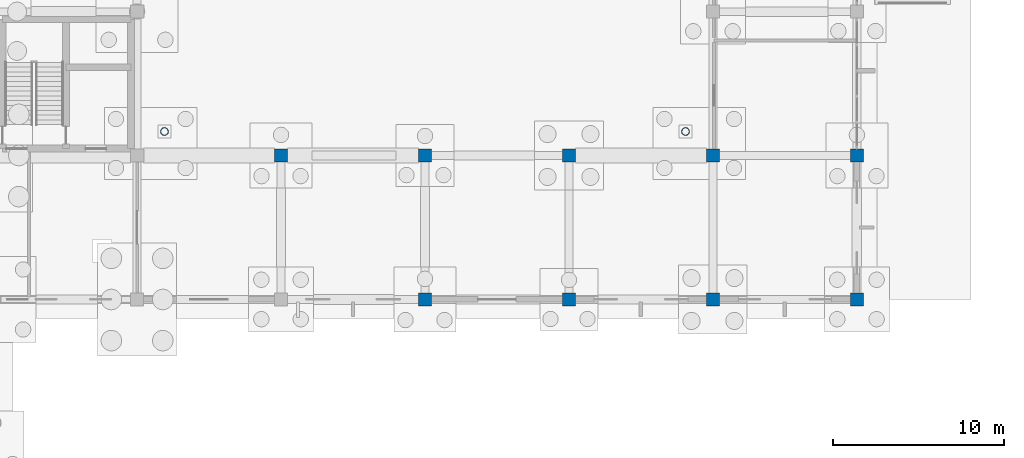
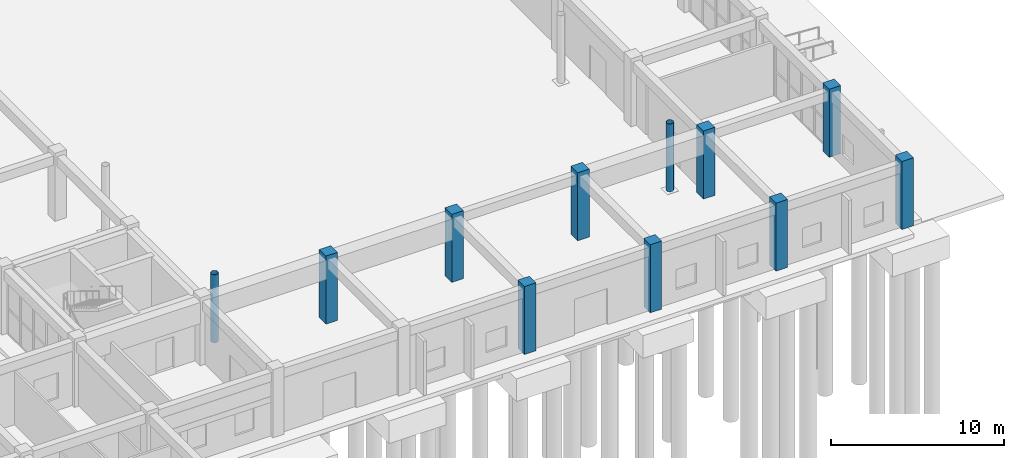
# One storey, part 41 of 192: 11 columns.
"""IFC4 building model written with IfcOpenShell, lengths in metres."""

from ifc_helpers import new_model, si_unit, direction, frame, origin, origin_2d, place, context, subcontext, project, spatial, rectangle, hollow_circle, extrude, material, material_profile, profile_set, type_object, element, save


model = new_model("IFC4")

# Units and contexts
model_context = context("Model", 3, precision=1e-05, world=origin(), true_north=direction((0.0, 1.0)))
body_context = subcontext(model_context, "Body", "Model", "MODEL_VIEW")
ifc_project = project(units=[si_unit("LENGTHUNIT", "METRE"), si_unit("AREAUNIT", "SQUARE_METRE"), si_unit("VOLUMEUNIT", "CUBIC_METRE"), si_unit("PLANEANGLEUNIT", "RADIAN"), si_unit("MASSUNIT", "GRAM", prefix="KILO")], contexts=[model_context])

# Site, building, storey
site_placement = place(None, origin())
site = spatial("IfcSite", under=ifc_project, at=site_placement, CompositionType="ELEMENT")
building_placement = place(site_placement, origin())
building = spatial("IfcBuilding", under=site, at=building_placement, Name="Trelvath General Hospital", CompositionType="ELEMENT")
storey_placement = place(building_placement, origin())
storey = spatial("IfcBuildingStorey", under=building, at=storey_placement, Name="L00", CompositionType="ELEMENT", Elevation=0.0)

# Columns
ifc_material_1 = material(Name="Concrete C40/50", Category="concrete")
ifc_material_profile_1 = material_profile(ifc_material_1, rectangle(XDim=0.760009765625, YDim=0.760009765625, at=origin_2d()), Name="RC760x760")
ifc_profile_set_1 = profile_set([ifc_material_profile_1], Name="Concrete C40/50")
column_type_1 = type_object("IfcColumnType", Name="Column RC760", PredefinedType="COLUMN", material=ifc_profile_set_1)
for number, where, z_axis, x_axis, name in (
    (1, (159.60009765625, 16.800048828125, 0.0), (0.0, 0.0, 1.0), (1.0, 0.0, 0.0), "Column C-20C L00"),
    (2, (168.0, 16.800048828125, 0.0), (0.0, 0.0, 1.0), (1.0, 0.0, 0.0), "Column C-21C L00"),
    (3, (176.39990234375, 16.800048828125, 0.0), (0.0, 0.0, 1.0), (1.0, 0.0, 0.0), "Column C-22C L00"),
    (4, (184.800048828125, 16.800048828125, 0.0), (0.0, 0.0, 1.0), (1.0, 0.0, 0.0), "Column C-23C L00"),
    (5, (184.800048828125, 25.199951171875, 0.0), (0.0, 0.0, 1.0), (1.0, 0.0, 0.0), "Column C-23D L00"),
):
    element("IfcColumn", number, at=place(storey_placement, frame(where, z_axis=z_axis, x_axis=x_axis)), inside=storey, type_object=column_type_1, Name=name, PredefinedType="COLUMN", context=body_context, shape_type="SweptSolid", body=[
        extrude(rectangle(XDim=0.760009765625, YDim=0.760009765625, at=origin_2d()), origin(), (0.0, 0.0, 1.0), 4.800048828125),
    ])
ifc_material_2 = material(Name="Concrete C40/50", Category="concrete")
ifc_material_profile_2 = material_profile(ifc_material_2, rectangle(XDim=0.780029296875, YDim=0.780029296875, at=origin_2d()), Name="RC780x780")
ifc_profile_set_2 = profile_set([ifc_material_profile_2], Name="Concrete C40/50")
column_type_2 = type_object("IfcColumnType", Name="Column RC780", PredefinedType="COLUMN", material=ifc_profile_set_2)
for number, where, z_axis, x_axis, name in (
    (6, (151.199951171875, 25.199951171875, 0.0), (0.0, 0.0, 1.0), (1.0, 0.0, 0.0), "Column C-19D L00"),
    (7, (159.60009765625, 25.199951171875, 0.0), (0.0, 0.0, 1.0), (1.0, 0.0, 0.0), "Column C-20D L00"),
    (8, (168.0, 25.199951171875, 0.0), (0.0, 0.0, 1.0), (1.0, 0.0, 0.0), "Column C-21D L00"),
    (9, (176.39990234375, 25.199951171875, 0.0), (0.0, 0.0, 1.0), (1.0, 0.0, 0.0), "Column C-22D L00"),
):
    element("IfcColumn", number, at=place(storey_placement, frame(where, z_axis=z_axis, x_axis=x_axis)), inside=storey, type_object=column_type_2, Name=name, PredefinedType="COLUMN", context=body_context, shape_type="SweptSolid", body=[
        extrude(rectangle(XDim=0.780029296875, YDim=0.780029296875, at=origin_2d()), origin(), (0.0, 0.0, 1.0), 4.800048828125),
    ])
ifc_material_3 = material(Name="Steel S355", Category="steel")
ifc_material_profile_3 = material_profile(ifc_material_3, hollow_circle(Radius=0.228515625, WallThickness=0.01611328125, at=origin_2d()), Name="CHS457.0x16.0")
ifc_profile_set_3 = profile_set([ifc_material_profile_3], Name="Steel S355")
column_type_3 = type_object("IfcColumnType", Name="TreeColumn CHS457", PredefinedType="COLUMN", material=ifc_profile_set_3)
for number, where, z_axis, x_axis, name in (
    (10, (144.39990234375, 26.60009765625, 0.0), (0.0, 0.0, 1.0), (1.0, 0.0, 0.0), "Space Frame Tree Column TC-01 L00"),
    (11, (174.800048828125, 26.60009765625, 0.0), (0.0, 0.0, 1.0), (1.0, 0.0, 0.0), "Space Frame Tree Column TC-05 L00"),
):
    element("IfcColumn", number, at=place(storey_placement, frame(where, z_axis=z_axis, x_axis=x_axis)), inside=storey, type_object=column_type_3, Name=name, PredefinedType="COLUMN", context=body_context, shape_type="SweptSolid", body=[
        extrude(hollow_circle(Radius=0.228515625, WallThickness=0.01611328125, at=origin_2d()), origin(), (0.0, 0.0, 1.0), 4.800048828125),
    ])

save(model, "model.ifc")
